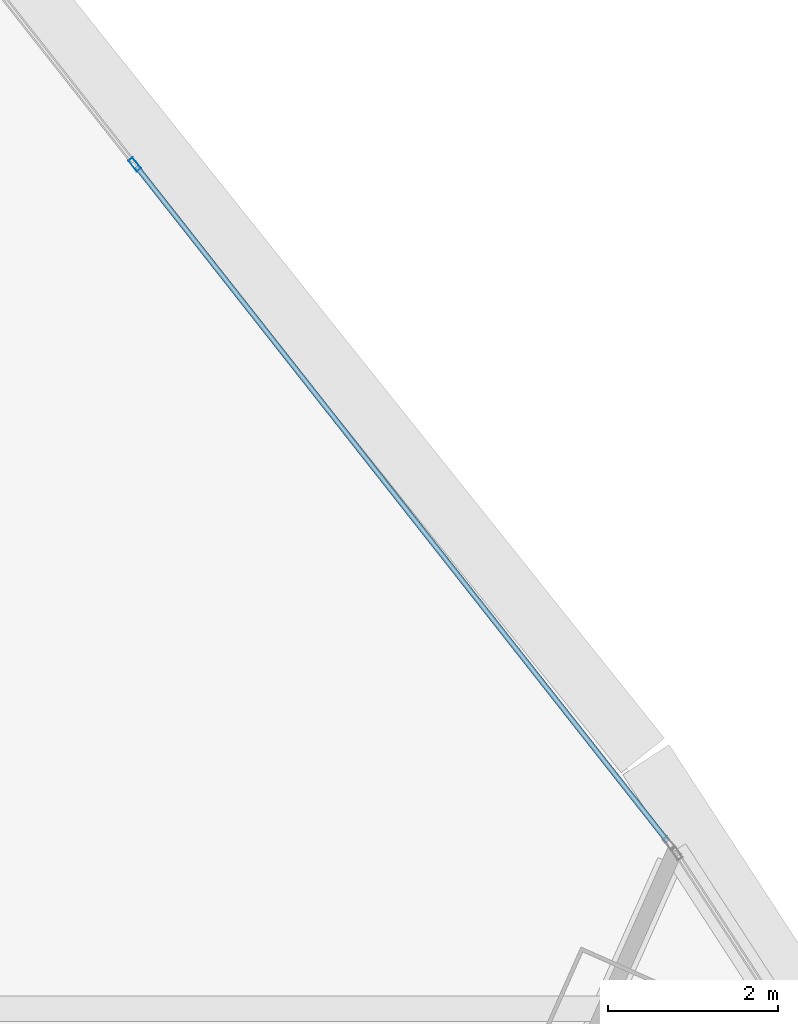
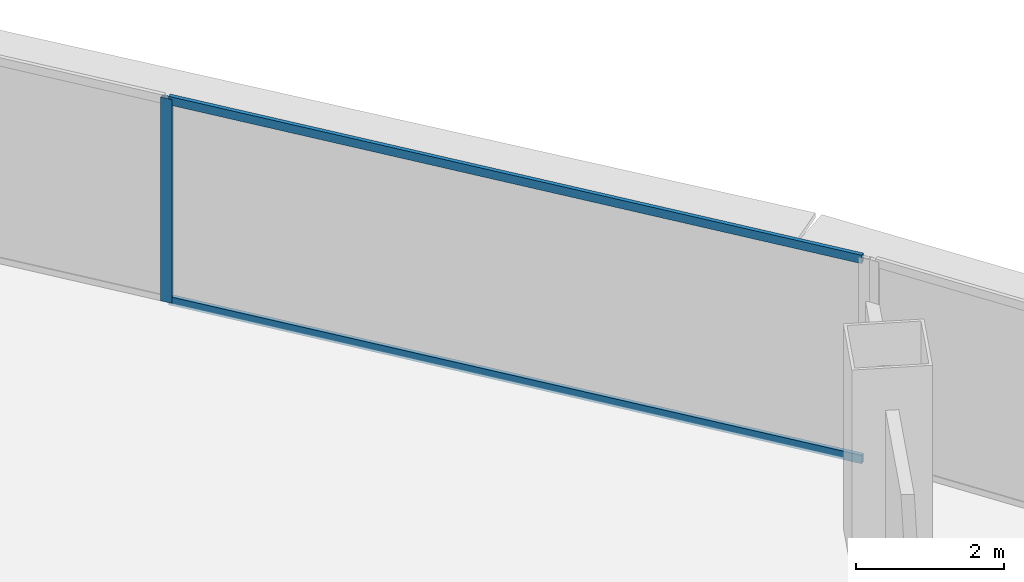
# One storey, part 26 of 38: 3 members, 1 element without a shape of its own.
"""IFC4 building model written with IfcOpenShell, lengths in metres."""

from ifc_helpers import new_model, si_unit, direction, frame, origin, origin_2d, place, context, subcontext, project, spatial, hollow_rectangle, extrude, source, transform, mapped, material, layer, layer_set, material_profile, profile_set, type_object, element, aggregate, save


model = new_model("IFC4")

# Units and contexts
model_context = context("Model", 3, precision=1e-05, world=origin(), true_north=direction((0.0, 1.0)))
body_context = subcontext(model_context, "Body", "Model", "MODEL_VIEW")
ifc_project = project(units=[si_unit("LENGTHUNIT", "METRE"), si_unit("AREAUNIT", "SQUARE_METRE"), si_unit("VOLUMEUNIT", "CUBIC_METRE"), si_unit("PLANEANGLEUNIT", "RADIAN"), si_unit("MASSUNIT", "GRAM", prefix="KILO"), si_unit("THERMODYNAMICTEMPERATUREUNIT", "KELVIN"), si_unit("POWERUNIT", "WATT")], contexts=[model_context])

# Site, building, storey
site_placement = place(None, origin())
site = spatial("IfcSite", under=ifc_project, at=site_placement, CompositionType="ELEMENT")
building_placement = place(site_placement, origin())
building = spatial("IfcBuilding", under=site, at=building_placement, Name="Yunzhuo Pagoda Commons", CompositionType="ELEMENT")
storey_placement = place(building_placement, frame((0.0, 0.0, 37.659912109375)))
storey = spatial("IfcBuildingStorey", under=building, at=storey_placement, Name="L09", CompositionType="ELEMENT", Elevation=37.659912109375)

# Curtain wall, members
ifc_material = material(Name="Anodized aluminium 6063-T6", Category="aluminium")
ifc_layer = layer(ifc_material, 0.1650390625)
ifc_layer_set = layer_set([ifc_layer], Name="Anodized aluminium 6063-T6")
curtain_wall_type = type_object("IfcCurtainWallType", Name="CW-LOW Low-Zone Ribbon Curtain Wall", PredefinedType="NOTDEFINED", material=ifc_layer_set)
curtain_wall_placement = place(storey_placement, origin())
curtain_wall = element("IfcCurtainWall", 1, at=curtain_wall_placement, inside=storey, type_object=curtain_wall_type, Name="L09 curtain wall CW-L09-F2B5", PredefinedType="NOTDEFINED")
ifc_material_profile_1 = material_profile(ifc_material, hollow_rectangle(XDim=0.06005859375, YDim=0.139892578125, WallThickness=0.00341796875, at=origin_2d()), Name="Anodized aluminium 6063-T6")
ifc_profile_set_1 = profile_set([ifc_material_profile_1], Name="Anodized aluminium 6063-T6")
member_type_1 = type_object("IfcMemberType", Name="CW-LOW-T Transom RHS 140x60x3.5", PredefinedType="USERDEFINED", material=ifc_profile_set_1)
shared_shape_1 = source(origin(), body_context, "Body", "SweptSolid", [
    extrude(hollow_rectangle(XDim=0.06005859375, YDim=0.139892578125, WallThickness=0.00341796875, at=origin_2d()), origin(), (0.0, 0.0, 1.0), 10.116455078125),
])
member_1_placement = place(storey_placement, frame((65.352783203125, 72.9794921875, 0.030029296875), z_axis=(-0.618483204392, 0.785798018504, 0.0), x_axis=(-0.785798018504, -0.618483204392, 0.0)))
member_1 = element("IfcMember", 2, at=member_1_placement, type_object=member_type_1, Name="CW transom 1.1", ObjectType="TRANSOM", PredefinedType="USERDEFINED", context=body_context, shape_type="MappedRepresentation", body=[
    mapped(shared_shape_1, transform((0.0, 0.0, 0.0), scale=1.0)),
])
member_2_placement = place(storey_placement, frame((65.352783203125, 72.9794921875, 3.340087890625), z_axis=(-0.618483204392, 0.785798018504, 0.0), x_axis=(-0.785798018504, -0.618483204392, 0.0)))
member_2 = element("IfcMember", 3, at=member_2_placement, type_object=member_type_1, Name="CW transom 1.2", ObjectType="TRANSOM", PredefinedType="USERDEFINED", context=body_context, shape_type="MappedRepresentation", body=[
    mapped(shared_shape_1, transform((0.0, 0.0, 0.0), scale=1.0)),
])
ifc_material_profile_2 = material_profile(ifc_material, hollow_rectangle(XDim=0.06494140625, YDim=0.1650390625, WallThickness=0.00390625, at=origin_2d()), Name="Anodized aluminium 6063-T6")
ifc_profile_set_2 = profile_set([ifc_material_profile_2], Name="Anodized aluminium 6063-T6")
member_type_2 = type_object("IfcMemberType", Name="CW-LOW-M Mullion RHS 165x65x4", PredefinedType="MULLION", material=ifc_profile_set_2)
shared_shape_2 = source(origin(), body_context, "Body", "SweptSolid", [
    extrude(hollow_rectangle(XDim=0.06494140625, YDim=0.1650390625, WallThickness=0.00390625, at=origin_2d()), origin(), (0.0, 0.0, 1.0), 3.3701171875),
])
member_3_placement = place(storey_placement, frame((59.07568359375, 80.95458984375, 0.0), z_axis=(0.0, 0.0, 1.0), x_axis=(-0.785799632369, -0.618481153932, 0.0)))
member_3 = element("IfcMember", 4, at=member_3_placement, type_object=member_type_2, Name="CW mullion 2", PredefinedType="MULLION", context=body_context, shape_type="MappedRepresentation", body=[
    mapped(shared_shape_2, transform((0.0, 0.0, 0.0), scale=1.0)),
])
aggregate(curtain_wall, [member_3, member_1, member_2])

save(model, "model.ifc")
